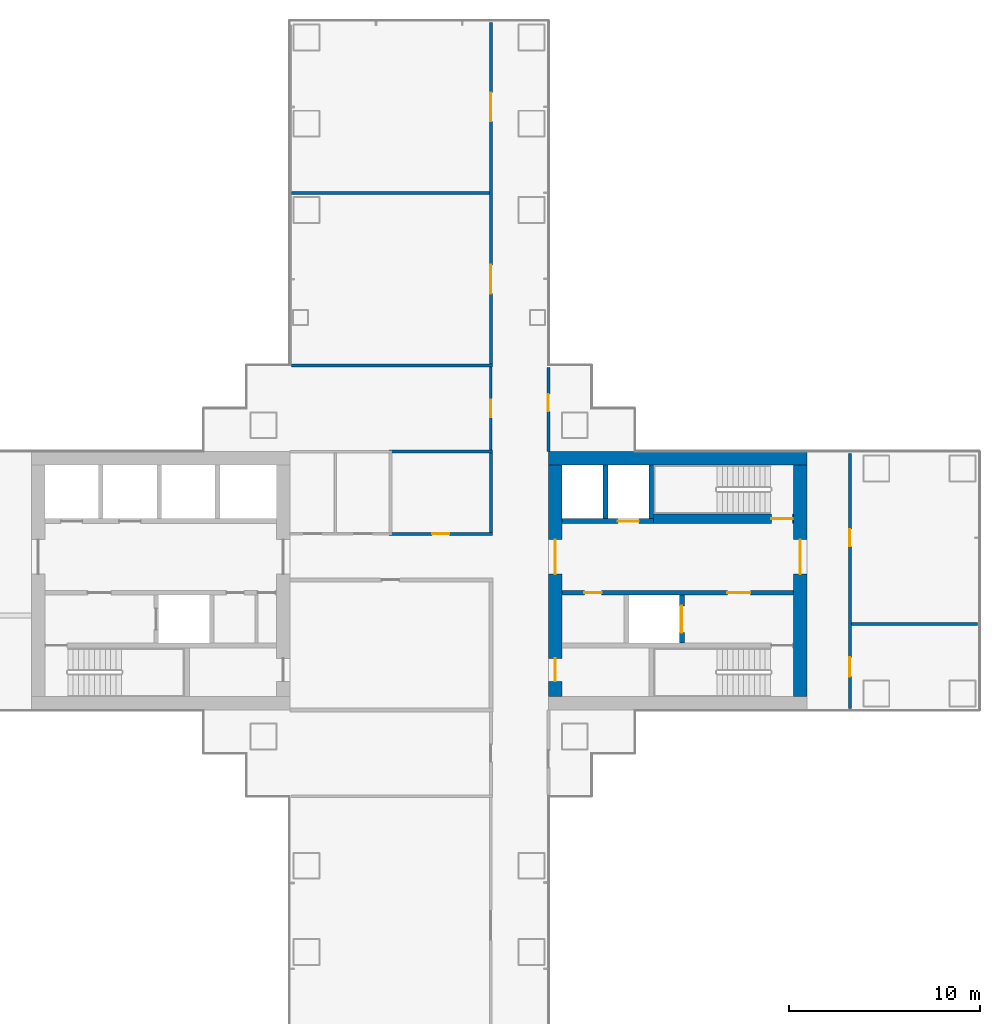
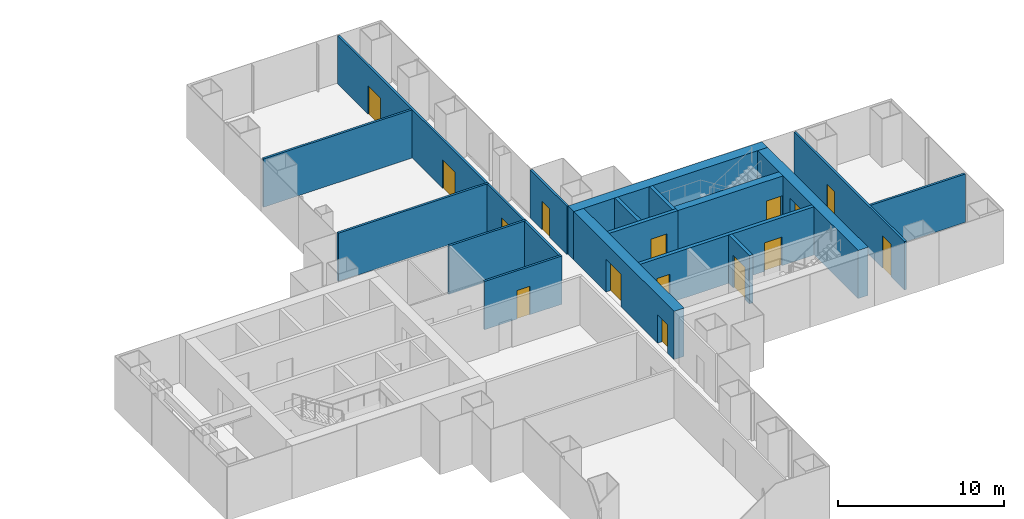
# One storey, part 17 of 21: 19 walls, 15 doors, 15 openings.
"""IFC4 building model written with IfcOpenShell, lengths in metres."""

from ifc_helpers import new_model, si_unit, direction, frame, frame_2d, origin, place, context, subcontext, project, spatial, rectangle, extrude, material, layer, layer_set, type_object, element, fill, save


model = new_model("IFC4")

# Units and contexts
model_context = context("Model", 3, precision=1e-05, world=origin(), true_north=direction((0.0, 1.0)))
body_context = subcontext(model_context, "Body", "Model", "MODEL_VIEW")
ifc_project = project(units=[si_unit("LENGTHUNIT", "METRE"), si_unit("AREAUNIT", "SQUARE_METRE"), si_unit("VOLUMEUNIT", "CUBIC_METRE"), si_unit("PLANEANGLEUNIT", "RADIAN"), si_unit("MASSUNIT", "GRAM", prefix="KILO")], contexts=[model_context])

# Site, building, storey
site_placement = place(None, origin())
site = spatial("IfcSite", under=ifc_project, at=site_placement, CompositionType="ELEMENT")
building_placement = place(site_placement, origin())
building = spatial("IfcBuilding", under=site, at=building_placement, Name="Shamsa Quay Exchange Towers", CompositionType="ELEMENT")
storey_placement = place(building_placement, frame((0.0, 0.0, 65.39990234375)))
storey = spatial("IfcBuildingStorey", under=building, at=storey_placement, Name="L14", CompositionType="ELEMENT", Elevation=65.39990234375)

# Wall
ifc_material_1 = material(Name="Concrete C80/95", Category="concrete")
ifc_layer_1 = layer(ifc_material_1, 0.699951171875)
ifc_layer_set_1 = layer_set([ifc_layer_1], Name="CORE WALL 700 C80/95")
wall_type_1 = type_object("IfcWallType", Name="CORE WALL 700 C80/95", PredefinedType="SHEAR", material=ifc_layer_set_1)
wall_1_placement = place(storey_placement, frame((54.0, 6.39990234375, 0.0), z_axis=(0.0, 0.0, 1.0), x_axis=(-1.0, 0.0, 0.0)))
element("IfcWall", 1, at=wall_1_placement, inside=storey, type_object=wall_type_1, Name="Core wall T2B-R06-PN", PredefinedType="SHEAR", context=body_context, shape_type="SweptSolid", body=[
    extrude(rectangle(XDim=13.5, YDim=0.699951171875, at=frame_2d((6.75, 0.0))), origin(), (0.0, 0.0, 1.0), 3.550048828125),
])

# Wall, opening, door
wall_2_placement = place(storey_placement, frame((53.64990234375, -6.050048828125, 0.0), z_axis=(0.0, 0.0, 1.0), x_axis=(0.0, 1.0, 0.0)))
wall_2 = element("IfcWall", 2, at=wall_2_placement, inside=storey, type_object=wall_type_1, Name="Core wall T2B-R06-PF", PredefinedType="SHEAR", context=body_context, shape_type="SweptSolid", body=[
    extrude(rectangle(XDim=12.10009765625, YDim=0.699951171875, at=frame_2d((6.050048828125, 0.0))), origin(), (0.0, 0.0, 1.0), 3.550048828125),
])
opening_1_placement = place(wall_2_placement, frame((6.39990234375, 0.0, 0.0)))
opening_1 = element("IfcOpeningElement", 3, at=opening_1_placement, cuts=wall_2, Name="Opening T2B-R06-LBD01", PredefinedType="OPENING", context=body_context, shape_type="SweptSolid", body=[
    extrude(rectangle(XDim=1.800048828125, YDim=2.39990234375, at=frame_2d((0.89990234375, 1.199951171875))), frame((0.0, 0.35986328125, 0.0), z_axis=(0.0, -1.0, 0.0), x_axis=(1.0, 0.0, 0.0)), (0.0, 0.0, 1.0), 0.719970703125),
])
ifc_material_2 = material(Name="Steel, fire rated", Category="steel")
door_type_1 = type_object("IfcDoorType", Name="LIFT LOBBY DOOR PAIR 1800", OperationType="DOUBLE_DOOR_SINGLE_SWING", PredefinedType="DOOR", material=ifc_material_2)
door_1_placement = place(opening_1_placement, origin())
door_1 = element("IfcDoor", 4, at=door_1_placement, inside=storey, type_object=door_type_1, Name="T2B-R06-LBD01", OperationType="DOUBLE_DOOR_SINGLE_SWING", OverallHeight=2.39990234375, OverallWidth=1.800048828125, PredefinedType="DOOR", context=body_context, shape_type="SweptSolid", body=[
    extrude(rectangle(XDim=1.800048828125, YDim=2.39990234375, at=frame_2d((0.89990234375, 1.199951171875))), frame((0.0, 0.02490234375, 0.0), z_axis=(0.0, -1.0, 0.0), x_axis=(1.0, 0.0, 0.0)), (0.0, 0.0, 1.0), 0.050048828125),
])
fill(opening_1, door_1)

# Wall, openings, doors
wall_3_placement = place(storey_placement, frame((40.85009765625, -6.050048828125, 0.0), z_axis=(0.0, 0.0, 1.0), x_axis=(0.0, 1.0, 0.0)))
wall_3 = element("IfcWall", 5, at=wall_3_placement, inside=storey, type_object=wall_type_1, Name="Core wall T2B-R06-PB", PredefinedType="SHEAR", context=body_context, shape_type="SweptSolid", body=[
    extrude(rectangle(XDim=12.10009765625, YDim=0.699951171875, at=frame_2d((6.050048828125, 0.0))), origin(), (0.0, 0.0, 1.0), 3.550048828125),
])
opening_2_placement = place(wall_3_placement, frame((0.800048828125, 0.0, 0.0)))
opening_2 = element("IfcOpeningElement", 6, at=opening_2_placement, cuts=wall_3, Name="Opening T2B-R06-RD02", PredefinedType="OPENING", context=body_context, shape_type="SweptSolid", body=[
    extrude(rectangle(XDim=1.199951171875, YDim=2.10009765625, at=frame_2d((0.60009765625, 1.050048828125))), frame((0.0, 0.35986328125, 0.0), z_axis=(0.0, -1.0, 0.0), x_axis=(1.0, 0.0, 0.0)), (0.0, 0.0, 1.0), 0.719970703125),
])
opening_3_placement = place(wall_3_placement, frame((6.39990234375, 0.0, 0.0)))
opening_3 = element("IfcOpeningElement", 7, at=opening_3_placement, cuts=wall_3, Name="Opening T2B-R06-LBD03", PredefinedType="OPENING", context=body_context, shape_type="SweptSolid", body=[
    extrude(rectangle(XDim=1.800048828125, YDim=2.39990234375, at=frame_2d((0.89990234375, 1.199951171875))), frame((0.0, 0.35986328125, 0.0), z_axis=(0.0, -1.0, 0.0), x_axis=(1.0, 0.0, 0.0)), (0.0, 0.0, 1.0), 0.719970703125),
])
door_2_placement = place(opening_3_placement, origin())
door_2 = element("IfcDoor", 8, at=door_2_placement, inside=storey, type_object=door_type_1, Name="T2B-R06-LBD03", OperationType="DOUBLE_DOOR_SINGLE_SWING", OverallHeight=2.39990234375, OverallWidth=1.800048828125, PredefinedType="DOOR", context=body_context, shape_type="SweptSolid", body=[
    extrude(rectangle(XDim=1.800048828125, YDim=2.39990234375, at=frame_2d((0.89990234375, 1.199951171875))), frame((0.0, 0.02490234375, 0.0), z_axis=(0.0, -1.0, 0.0), x_axis=(1.0, 0.0, 0.0)), (0.0, 0.0, 1.0), 0.050048828125),
])
fill(opening_3, door_2)
door_type_2 = type_object("IfcDoorType", Name="RISER ACCESS DOOR 1200", OperationType="SINGLE_SWING_LEFT", PredefinedType="DOOR", material=ifc_material_2)
door_3_placement = place(opening_2_placement, origin())
door_3 = element("IfcDoor", 9, at=door_3_placement, inside=storey, type_object=door_type_2, Name="T2B-R06-RD02", OperationType="SINGLE_SWING_LEFT", OverallHeight=2.10009765625, OverallWidth=1.199951171875, PredefinedType="DOOR", context=body_context, shape_type="SweptSolid", body=[
    extrude(rectangle(XDim=1.199951171875, YDim=2.10009765625, at=frame_2d((0.60009765625, 1.050048828125))), frame((0.0, 0.02490234375, 0.0), z_axis=(0.0, -1.0, 0.0), x_axis=(1.0, 0.0, 0.0)), (0.0, 0.0, 1.0), 0.050048828125),
])
fill(opening_2, door_3)

# Wall, opening, door
ifc_material_3 = material(Name="Laminated fire-resisting glass in a metal frame", Category="glass")
ifc_layer_2 = layer(ifc_material_3, 0.125)
ifc_layer_set_2 = layer_set([ifc_layer_2], Name="Glazed partition 125 mm EI 60")
wall_type_2 = type_object("IfcWallType", Name="Glazed partition 125 mm EI 60", PredefinedType="PARTITIONING", material=ifc_layer_set_2)
wall_4_placement = place(storey_placement, frame((37.5, 6.824951171875, 0.0), z_axis=(0.0, 0.0, 1.0), x_axis=(0.0, 1.0, 0.0)))
wall_4 = element("IfcWall", 10, at=wall_4_placement, inside=storey, type_object=wall_type_2, Name="Partition T2-R06-W01", PredefinedType="PARTITIONING", context=body_context, shape_type="SweptSolid", body=[
    extrude(rectangle(XDim=4.35009765625, YDim=0.125, at=frame_2d((2.175048828125, 0.0))), origin(), (0.0, 0.0, 1.0), 3.550048828125),
])
opening_4_placement = place(wall_4_placement, frame((1.72509765625, 0.0, 0.0)))
opening_4 = element("IfcOpeningElement", 11, at=opening_4_placement, cuts=wall_4, Name="Opening T2-R06-D08", PredefinedType="OPENING", context=body_context, shape_type="SweptSolid", body=[
    extrude(rectangle(XDim=0.89990234375, YDim=2.10009765625, at=frame_2d((0.449951171875, 1.050048828125))), frame((0.0, 0.072509765625, 0.0), z_axis=(0.0, -1.0, 0.0), x_axis=(1.0, 0.0, 0.0)), (0.0, 0.0, 1.0), 0.14501953125),
])
ifc_material_4 = material(Name="Timber door leaf in a metal frame", Category="wood")
door_type_3 = type_object("IfcDoorType", Name="Door 900x2100 FD30S", OperationType="NOTDEFINED", PredefinedType="DOOR", material=ifc_material_4)
door_4_placement = place(opening_4_placement, origin())
door_4 = element("IfcDoor", 12, at=door_4_placement, inside=storey, type_object=door_type_3, Name="Door T2-R06-D08", OperationType="SINGLE_SWING_LEFT", OverallHeight=2.10009765625, OverallWidth=0.89990234375, PredefinedType="DOOR", context=body_context, shape_type="SweptSolid", body=[
    extrude(rectangle(XDim=0.89990234375, YDim=2.10009765625, at=frame_2d((0.449951171875, 1.050048828125))), frame((0.0, 0.02490234375, 0.0), z_axis=(0.0, -1.0, 0.0), x_axis=(1.0, 0.0, 0.0)), (0.0, 0.0, 1.0), 0.050048828125),
])
fill(opening_4, door_4)

# Wall, openings, doors
ifc_material_5 = material(Name="Gypsum board partition on metal studs")
ifc_layer_3 = layer(ifc_material_5, 0.14990234375)
ifc_layer_set_3 = layer_set([ifc_layer_3], Name="Partition 150 mm EI 60")
wall_type_3 = type_object("IfcWallType", Name="Partition 150 mm EI 60", PredefinedType="PARTITIONING", material=ifc_layer_set_3)
wall_5_placement = place(storey_placement, frame((37.5, 11.324951171875, 0.0), z_axis=(0.0, 0.0, 1.0), x_axis=(0.0, 1.0, 0.0)))
wall_5 = element("IfcWall", 13, at=wall_5_placement, inside=storey, type_object=wall_type_3, Name="Partition T2-R06-W03", PredefinedType="PARTITIONING", context=body_context, shape_type="SweptSolid", body=[
    extrude(rectangle(XDim=17.830078125, YDim=0.14990234375, at=frame_2d((8.9150390625, 0.0))), origin(), (0.0, 0.0, 1.0), 3.550048828125),
])
opening_5_placement = place(wall_5_placement, frame((12.675048828125, 0.0, 0.0)))
opening_5 = element("IfcOpeningElement", 14, at=opening_5_placement, cuts=wall_5, Name="Opening T2-R06-D09", PredefinedType="OPENING", context=body_context, shape_type="SweptSolid", body=[
    extrude(rectangle(XDim=1.5, YDim=2.10009765625, at=frame_2d((0.75, 1.050048828125))), frame((0.0, 0.0849609375, 0.0), z_axis=(0.0, -1.0, 0.0), x_axis=(1.0, 0.0, 0.0)), (0.0, 0.0, 1.0), 0.169921875),
])
opening_6_placement = place(wall_5_placement, frame((3.675048828125, 0.0, 0.0)))
opening_6 = element("IfcOpeningElement", 15, at=opening_6_placement, cuts=wall_5, Name="Opening T2-R06-D10", PredefinedType="OPENING", context=body_context, shape_type="SweptSolid", body=[
    extrude(rectangle(XDim=1.5, YDim=2.10009765625, at=frame_2d((0.75, 1.050048828125))), frame((0.0, 0.0849609375, 0.0), z_axis=(0.0, -1.0, 0.0), x_axis=(1.0, 0.0, 0.0)), (0.0, 0.0, 1.0), 0.169921875),
])
door_type_4 = type_object("IfcDoorType", Name="Door 1500x2100 FD30S pair", OperationType="NOTDEFINED", PredefinedType="DOOR", material=ifc_material_4)
door_5_placement = place(opening_5_placement, origin())
door_5 = element("IfcDoor", 16, at=door_5_placement, inside=storey, type_object=door_type_4, Name="Door T2-R06-D09", OperationType="DOUBLE_DOOR_SINGLE_SWING", OverallHeight=2.10009765625, OverallWidth=1.5, PredefinedType="DOOR", context=body_context, shape_type="SweptSolid", body=[
    extrude(rectangle(XDim=1.5, YDim=2.10009765625, at=frame_2d((0.75, 1.050048828125))), frame((0.0, 0.02490234375, 0.0), z_axis=(0.0, -1.0, 0.0), x_axis=(1.0, 0.0, 0.0)), (0.0, 0.0, 1.0), 0.050048828125),
])
fill(opening_5, door_5)
door_6_placement = place(opening_6_placement, origin())
door_6 = element("IfcDoor", 17, at=door_6_placement, inside=storey, type_object=door_type_4, Name="Door T2-R06-D10", OperationType="DOUBLE_DOOR_SINGLE_SWING", OverallHeight=2.10009765625, OverallWidth=1.5, PredefinedType="DOOR", context=body_context, shape_type="SweptSolid", body=[
    extrude(rectangle(XDim=1.5, YDim=2.10009765625, at=frame_2d((0.75, 1.050048828125))), frame((0.0, 0.02490234375, 0.0), z_axis=(0.0, -1.0, 0.0), x_axis=(1.0, 0.0, 0.0)), (0.0, 0.0, 1.0), 0.050048828125),
])
fill(opening_6, door_6)

# Wall
wall_6_placement = place(storey_placement, frame((37.5, 2.525146484375, 0.0), z_axis=(0.0, 0.0, 1.0), x_axis=(0.0, 1.0, 0.0)))
element("IfcWall", 18, at=wall_6_placement, inside=storey, type_object=wall_type_3, Name="Partition T2-R06-W04", PredefinedType="PARTITIONING", context=body_context, shape_type="SweptSolid", body=[
    extrude(rectangle(XDim=4.14990234375, YDim=0.14990234375, at=frame_2d((2.074951171875, 0.0))), origin(), (0.0, 0.0, 1.0), 3.550048828125),
])

# Wall, opening, door
wall_7_placement = place(storey_placement, frame((32.175048828125, 2.4501953125, 0.0)))
wall_7 = element("IfcWall", 19, at=wall_7_placement, inside=storey, type_object=wall_type_3, Name="Partition T2-R06-W06", PredefinedType="PARTITIONING", context=body_context, shape_type="SweptSolid", body=[
    extrude(rectangle(XDim=5.39990234375, YDim=0.14990234375, at=frame_2d((2.699951171875, 0.0))), origin(), (0.0, 0.0, 1.0), 3.550048828125),
])
opening_7_placement = place(wall_7_placement, frame((2.25, 0.0, 0.0)))
opening_7 = element("IfcOpeningElement", 20, at=opening_7_placement, cuts=wall_7, Name="Opening T2-R06-D07", PredefinedType="OPENING", context=body_context, shape_type="SweptSolid", body=[
    extrude(rectangle(XDim=0.89990234375, YDim=2.10009765625, at=frame_2d((0.449951171875, 1.050048828125))), frame((0.0, 0.0849609375, 0.0), z_axis=(0.0, -1.0, 0.0), x_axis=(1.0, 0.0, 0.0)), (0.0, 0.0, 1.0), 0.169921875),
])
door_7_placement = place(opening_7_placement, origin())
door_7 = element("IfcDoor", 21, at=door_7_placement, inside=storey, type_object=door_type_3, Name="Door T2-R06-D07", OperationType="SINGLE_SWING_RIGHT", OverallHeight=2.10009765625, OverallWidth=0.89990234375, PredefinedType="DOOR", context=body_context, shape_type="SweptSolid", body=[
    extrude(rectangle(XDim=0.89990234375, YDim=2.10009765625, at=frame_2d((0.449951171875, 1.050048828125))), frame((0.0, 0.02490234375, 0.0), z_axis=(0.0, -1.0, 0.0), x_axis=(1.0, 0.0, 0.0)), (0.0, 0.0, 1.0), 0.050048828125),
])
fill(opening_7, door_7)

wall_8_placement = place(storey_placement, frame((40.5, 11.155029296875, 0.0), z_axis=(0.0, 0.0, 1.0), x_axis=(0.0, -1.0, 0.0)))
wall_8 = element("IfcWall", 22, at=wall_8_placement, inside=storey, type_object=wall_type_3, Name="Partition T2-R06-W11", PredefinedType="PARTITIONING", context=body_context, shape_type="SweptSolid", body=[
    extrude(rectangle(XDim=4.405029296875, YDim=0.14990234375, at=frame_2d((2.20263671875, 0.0))), origin(), (0.0, 0.0, 1.0), 3.550048828125),
])
opening_8_placement = place(wall_8_placement, frame((1.405029296875, 0.0, 0.0)))
opening_8 = element("IfcOpeningElement", 23, at=opening_8_placement, cuts=wall_8, Name="Opening T2-R06-D04", PredefinedType="OPENING", context=body_context, shape_type="SweptSolid", body=[
    extrude(rectangle(XDim=0.89990234375, YDim=2.10009765625, at=frame_2d((0.449951171875, 1.050048828125))), frame((0.0, 0.0849609375, 0.0), z_axis=(0.0, -1.0, 0.0), x_axis=(1.0, 0.0, 0.0)), (0.0, 0.0, 1.0), 0.169921875),
])
door_8_placement = place(opening_8_placement, origin())
door_8 = element("IfcDoor", 24, at=door_8_placement, inside=storey, type_object=door_type_3, Name="Door T2-R06-D04", OperationType="SINGLE_SWING_LEFT", OverallHeight=2.10009765625, OverallWidth=0.89990234375, PredefinedType="DOOR", context=body_context, shape_type="SweptSolid", body=[
    extrude(rectangle(XDim=0.89990234375, YDim=2.10009765625, at=frame_2d((0.449951171875, 1.050048828125))), frame((0.0, 0.02490234375, 0.0), z_axis=(0.0, -1.0, 0.0), x_axis=(1.0, 0.0, 0.0)), (0.0, 0.0, 1.0), 0.050048828125),
])
fill(opening_8, door_8)

# Wall, openings, doors
wall_9_placement = place(storey_placement, frame((56.25, 6.655029296875, 0.0), z_axis=(0.0, 0.0, 1.0), x_axis=(0.0, -1.0, 0.0)))
wall_9 = element("IfcWall", 25, at=wall_9_placement, inside=storey, type_object=wall_type_3, Name="Partition T2-R06-W12", PredefinedType="PARTITIONING", context=body_context, shape_type="SweptSolid", body=[
    extrude(rectangle(XDim=13.31005859375, YDim=0.14990234375, at=frame_2d((6.655029296875, 0.0))), origin(), (0.0, 0.0, 1.0), 3.550048828125),
])
opening_9_placement = place(wall_9_placement, frame((10.655029296875, 0.0, 0.0)))
opening_9 = element("IfcOpeningElement", 26, at=opening_9_placement, cuts=wall_9, Name="Opening T2-R06-D01", PredefinedType="OPENING", context=body_context, shape_type="SweptSolid", body=[
    extrude(rectangle(XDim=1.0, YDim=2.39990234375, at=frame_2d((0.5, 1.199951171875))), frame((0.0, 0.0849609375, 0.0), z_axis=(0.0, -1.0, 0.0), x_axis=(1.0, 0.0, 0.0)), (0.0, 0.0, 1.0), 0.169921875),
])
opening_10_placement = place(wall_9_placement, frame((3.955078125, 0.0, 0.0)))
opening_10 = element("IfcOpeningElement", 27, at=opening_10_placement, cuts=wall_9, Name="Opening T2-R06-D02", PredefinedType="OPENING", context=body_context, shape_type="SweptSolid", body=[
    extrude(rectangle(XDim=0.89990234375, YDim=2.10009765625, at=frame_2d((0.449951171875, 1.050048828125))), frame((0.0, 0.0849609375, 0.0), z_axis=(0.0, -1.0, 0.0), x_axis=(1.0, 0.0, 0.0)), (0.0, 0.0, 1.0), 0.169921875),
])
door_type_5 = type_object("IfcDoorType", Name="Door 1000x2400 FD30S", OperationType="NOTDEFINED", PredefinedType="DOOR", material=ifc_material_4)
door_9_placement = place(opening_9_placement, origin())
door_9 = element("IfcDoor", 28, at=door_9_placement, inside=storey, type_object=door_type_5, Name="Door T2-R06-D01", OperationType="SINGLE_SWING_LEFT", OverallHeight=2.39990234375, OverallWidth=1.0, PredefinedType="DOOR", context=body_context, shape_type="SweptSolid", body=[
    extrude(rectangle(XDim=1.0, YDim=2.39990234375, at=frame_2d((0.5, 1.199951171875))), frame((0.0, 0.02490234375, 0.0), z_axis=(0.0, -1.0, 0.0), x_axis=(1.0, 0.0, 0.0)), (0.0, 0.0, 1.0), 0.050048828125),
])
fill(opening_9, door_9)
door_10_placement = place(opening_10_placement, origin())
door_10 = element("IfcDoor", 29, at=door_10_placement, inside=storey, type_object=door_type_3, Name="Door T2-R06-D02", OperationType="SINGLE_SWING_RIGHT", OverallHeight=2.10009765625, OverallWidth=0.89990234375, PredefinedType="DOOR", context=body_context, shape_type="SweptSolid", body=[
    extrude(rectangle(XDim=0.89990234375, YDim=2.10009765625, at=frame_2d((0.449951171875, 1.050048828125))), frame((0.0, 0.02490234375, 0.0), z_axis=(0.0, -1.0, 0.0), x_axis=(1.0, 0.0, 0.0)), (0.0, 0.0, 1.0), 0.050048828125),
])
fill(opening_10, door_10)

# Walls
wall_10_placement = place(storey_placement, frame((37.574951171875, 11.25, 0.0), z_axis=(0.0, 0.0, 1.0), x_axis=(-1.0, 0.0, 0.0)))
element("IfcWall", 30, at=wall_10_placement, inside=storey, type_object=wall_type_3, Name="Partition T2-R06-W13", PredefinedType="PARTITIONING", context=body_context, shape_type="SweptSolid", body=[
    extrude(rectangle(XDim=10.47998046875, YDim=0.14990234375, at=frame_2d((5.239990234375, 0.0))), origin(), (0.0, 0.0, 1.0), 3.550048828125),
])
wall_11_placement = place(storey_placement, frame((32.175048828125, 6.75, 0.0)))
element("IfcWall", 31, at=wall_11_placement, inside=storey, type_object=wall_type_3, Name="Partition T2-R06-W14", PredefinedType="PARTITIONING", context=body_context, shape_type="SweptSolid", body=[
    extrude(rectangle(XDim=5.39990234375, YDim=0.14990234375, at=frame_2d((2.699951171875, 0.0))), origin(), (0.0, 0.0, 1.0), 3.550048828125),
])
wall_12_placement = place(storey_placement, frame((37.425048828125, 20.25, 0.0), z_axis=(0.0, 0.0, 1.0), x_axis=(-1.0, 0.0, 0.0)))
element("IfcWall", 32, at=wall_12_placement, inside=storey, type_object=wall_type_3, Name="Partition T2-R06-W16", PredefinedType="PARTITIONING", context=body_context, shape_type="SweptSolid", body=[
    extrude(rectangle(XDim=10.330078125, YDim=0.14990234375, at=frame_2d((5.1650390625, 0.0))), origin(), (0.0, 0.0, 1.0), 3.550048828125),
])
wall_13_placement = place(storey_placement, frame((62.905029296875, -2.25, 0.0), z_axis=(0.0, 0.0, 1.0), x_axis=(-1.0, 0.0, 0.0)))
element("IfcWall", 33, at=wall_13_placement, inside=storey, type_object=wall_type_3, Name="Partition T2-R06-W21", PredefinedType="PARTITIONING", context=body_context, shape_type="SweptSolid", body=[
    extrude(rectangle(XDim=6.580078125, YDim=0.14990234375, at=frame_2d((3.2900390625, 0.0))), origin(), (0.0, 0.0, 1.0), 3.550048828125),
])

# Wall, openings, doors
ifc_material_6 = material(Name="Concrete C50/60", Category="concrete")
ifc_layer_4 = layer(ifc_material_6, 0.25)
ifc_layer_set_4 = layer_set([ifc_layer_4], Name="SHAFT WALL 250 C50/60")
wall_type_4 = type_object("IfcWallType", Name="SHAFT WALL 250 C50/60", PredefinedType="SHEAR", material=ifc_layer_set_4)
wall_14_placement = place(storey_placement, frame((53.300048828125, -0.625, 0.0), z_axis=(0.0, 0.0, 1.0), x_axis=(-1.0, 0.0, 0.0)))
wall_14 = element("IfcWall", 34, at=wall_14_placement, inside=storey, type_object=wall_type_4, Name="Shaft wall T2B-R06-B", PredefinedType="SHEAR", context=body_context, shape_type="SweptSolid", body=[
    extrude(rectangle(XDim=12.10009765625, YDim=0.25, at=frame_2d((6.050048828125, 0.0))), origin(), (0.0, 0.0, 1.0), 3.550048828125),
])
opening_11_placement = place(wall_14_placement, frame((2.25, 0.0, 0.0)))
opening_11 = element("IfcOpeningElement", 35, at=opening_11_placement, cuts=wall_14, Name="Opening T2B-R06-FD05", PredefinedType="OPENING", context=body_context, shape_type="SweptSolid", body=[
    extrude(rectangle(XDim=1.199951171875, YDim=2.10009765625, at=frame_2d((0.60009765625, 1.050048828125))), frame((0.0, 0.135009765625, 0.0), z_axis=(0.0, -1.0, 0.0), x_axis=(1.0, 0.0, 0.0)), (0.0, 0.0, 1.0), 0.27001953125),
])
opening_12_placement = place(wall_14_placement, frame((10.02490234375, 0.0, 0.0)))
opening_12 = element("IfcOpeningElement", 36, at=opening_12_placement, cuts=wall_14, Name="Opening T2B-R06-SV06", PredefinedType="OPENING", context=body_context, shape_type="SweptSolid", body=[
    extrude(rectangle(XDim=0.89990234375, YDim=2.10009765625, at=frame_2d((0.449951171875, 1.050048828125))), frame((0.0, 0.135009765625, 0.0), z_axis=(0.0, -1.0, 0.0), x_axis=(1.0, 0.0, 0.0)), (0.0, 0.0, 1.0), 0.27001953125),
])
door_type_6 = type_object("IfcDoorType", Name="FIRE SERVICE LOBBY DOOR 1200", OperationType="SINGLE_SWING_LEFT", PredefinedType="DOOR", material=ifc_material_2)
door_11_placement = place(opening_11_placement, origin())
door_11 = element("IfcDoor", 37, at=door_11_placement, inside=storey, type_object=door_type_6, Name="T2B-R06-FD05", OperationType="SINGLE_SWING_LEFT", OverallHeight=2.10009765625, OverallWidth=1.199951171875, PredefinedType="DOOR", context=body_context, shape_type="SweptSolid", body=[
    extrude(rectangle(XDim=1.199951171875, YDim=2.10009765625, at=frame_2d((0.60009765625, 1.050048828125))), frame((0.0, 0.02490234375, 0.0), z_axis=(0.0, -1.0, 0.0), x_axis=(1.0, 0.0, 0.0)), (0.0, 0.0, 1.0), 0.050048828125),
])
fill(opening_11, door_11)
door_type_7 = type_object("IfcDoorType", Name="SERVICE ROOM DOOR 900", OperationType="SINGLE_SWING_LEFT", PredefinedType="DOOR", material=ifc_material_2)
door_12_placement = place(opening_12_placement, origin())
door_12 = element("IfcDoor", 38, at=door_12_placement, inside=storey, type_object=door_type_7, Name="T2B-R06-SV06", OperationType="SINGLE_SWING_RIGHT", OverallHeight=2.10009765625, OverallWidth=0.89990234375, PredefinedType="DOOR", context=body_context, shape_type="SweptSolid", body=[
    extrude(rectangle(XDim=0.89990234375, YDim=2.10009765625, at=frame_2d((0.449951171875, 1.050048828125))), frame((0.0, 0.02490234375, 0.0), z_axis=(0.0, -1.0, 0.0), x_axis=(1.0, 0.0, 0.0)), (0.0, 0.0, 1.0), 0.050048828125),
])
fill(opening_12, door_12)

# Wall, opening, door
wall_15_placement = place(storey_placement, frame((47.47509765625, -3.25, 0.0), z_axis=(0.0, 0.0, 1.0), x_axis=(0.0, 1.0, 0.0)))
wall_15 = element("IfcWall", 39, at=wall_15_placement, inside=storey, type_object=wall_type_4, Name="Shaft wall T2B-R06-FFF", PredefinedType="SHEAR", context=body_context, shape_type="SweptSolid", body=[
    extrude(rectangle(XDim=2.5, YDim=0.25, at=frame_2d((1.25, 0.0))), origin(), (0.0, 0.0, 1.0), 3.550048828125),
])
opening_13_placement = place(wall_15_placement, frame((0.550048828125, 0.0, 0.0)))
opening_13 = element("IfcOpeningElement", 40, at=opening_13_placement, cuts=wall_15, Name="Opening T2B-R06-LDG07", PredefinedType="OPENING", context=body_context, shape_type="SweptSolid", body=[
    extrude(rectangle(XDim=1.39990234375, YDim=2.39990234375, at=frame_2d((0.699951171875, 1.199951171875))), frame((0.0, 0.135009765625, 0.0), z_axis=(0.0, -1.0, 0.0), x_axis=(1.0, 0.0, 0.0)), (0.0, 0.0, 1.0), 0.27001953125),
])
door_type_8 = type_object("IfcDoorType", Name="GOODS LIFT LANDING DOOR 1400", OperationType="SLIDING_TO_LEFT", PredefinedType="DOOR", material=ifc_material_2)
door_13_placement = place(opening_13_placement, origin())
door_13 = element("IfcDoor", 41, at=door_13_placement, inside=storey, type_object=door_type_8, Name="T2B-R06-LDG07", OperationType="SLIDING_TO_LEFT", OverallHeight=2.39990234375, OverallWidth=1.39990234375, PredefinedType="DOOR", context=body_context, shape_type="SweptSolid", body=[
    extrude(rectangle(XDim=1.39990234375, YDim=2.39990234375, at=frame_2d((0.699951171875, 1.199951171875))), frame((0.0, 0.02490234375, 0.0), z_axis=(0.0, -1.0, 0.0), x_axis=(1.0, 0.0, 0.0)), (0.0, 0.0, 1.0), 0.050048828125),
])
fill(opening_13, door_13)

wall_16_placement = place(storey_placement, frame((46.0, 3.125, 0.0), z_axis=(0.0, 0.0, 1.0), x_axis=(-1.0, 0.0, 0.0)))
wall_16 = element("IfcWall", 42, at=wall_16_placement, inside=storey, type_object=wall_type_4, Name="Shaft wall T2B-R06-N2", PredefinedType="SHEAR", context=body_context, shape_type="SweptSolid", body=[
    extrude(rectangle(XDim=4.800048828125, YDim=0.25, at=frame_2d((2.39990234375, 0.0))), origin(), (0.0, 0.0, 1.0), 3.550048828125),
])
opening_14_placement = place(wall_16_placement, frame((0.77490234375, 0.0, 0.0)))
opening_14 = element("IfcOpeningElement", 43, at=opening_14_placement, cuts=wall_16, Name="Opening T2B-R06-LD09", PredefinedType="OPENING", context=body_context, shape_type="SweptSolid", body=[
    extrude(rectangle(XDim=1.10009765625, YDim=2.10009765625, at=frame_2d((0.550048828125, 1.050048828125))), frame((0.0, 0.135009765625, 0.0), z_axis=(0.0, -1.0, 0.0), x_axis=(1.0, 0.0, 0.0)), (0.0, 0.0, 1.0), 0.27001953125),
])
door_type_9 = type_object("IfcDoorType", Name="LANDING DOOR 1100", OperationType="SLIDING_TO_LEFT", PredefinedType="DOOR", material=ifc_material_2)
door_14_placement = place(opening_14_placement, origin())
door_14 = element("IfcDoor", 44, at=door_14_placement, inside=storey, type_object=door_type_9, Name="T2B-R06-LD09", OperationType="SLIDING_TO_LEFT", OverallHeight=2.10009765625, OverallWidth=1.10009765625, PredefinedType="DOOR", context=body_context, shape_type="SweptSolid", body=[
    extrude(rectangle(XDim=1.10009765625, YDim=2.10009765625, at=frame_2d((0.550048828125, 1.050048828125))), frame((0.0, 0.02490234375, 0.0), z_axis=(0.0, -1.0, 0.0), x_axis=(1.0, 0.0, 0.0)), (0.0, 0.0, 1.0), 0.050048828125),
])
fill(opening_14, door_14)

# Walls
for number, where, z_axis, x_axis, name in (
    (45, (45.875, 3.25, 0.0), (0.0, 0.0, 1.0), (0.0, 1.0, 0.0), "Shaft wall T2B-R06-STF2"),
    (46, (43.47509765625, 3.25, 0.0), (0.0, 0.0, 1.0), (0.0, 1.0, 0.0), "Shaft wall T2B-R06-D0"),
):
    element("IfcWall", number, at=place(storey_placement, frame(where, z_axis=z_axis, x_axis=x_axis)), inside=storey, type_object=wall_type_4, Name=name, PredefinedType="SHEAR", context=body_context, shape_type="SweptSolid", body=[
        extrude(rectangle(XDim=2.800048828125, YDim=0.25, at=frame_2d((1.39990234375, 0.0))), origin(), (0.0, 0.0, 1.0), 3.550048828125),
    ])

# Wall, opening, door
ifc_layer_5 = layer(ifc_material_6, 0.5)
ifc_layer_set_5 = layer_set([ifc_layer_5], Name="SHAFT WALL 500 C50/60")
wall_type_5 = type_object("IfcWallType", Name="SHAFT WALL 500 C50/60", PredefinedType="SHEAR", material=ifc_layer_set_5)
wall_17_placement = place(storey_placement, frame((46.0, 3.25, 0.0)))
wall_17 = element("IfcWall", 47, at=wall_17_placement, inside=storey, type_object=wall_type_5, Name="Shaft wall T2B-R06-N", PredefinedType="SHEAR", context=body_context, shape_type="SweptSolid", body=[
    extrude(rectangle(XDim=7.300048828125, YDim=0.5, at=frame_2d((3.64990234375, 0.0))), origin(), (0.0, 0.0, 1.0), 3.550048828125),
])
opening_15_placement = place(wall_17_placement, frame((6.14990234375, 0.0, 0.0)))
opening_15 = element("IfcOpeningElement", 48, at=opening_15_placement, cuts=wall_17, Name="Opening T2B-R06-SD08", PredefinedType="OPENING", context=body_context, shape_type="SweptSolid", body=[
    extrude(rectangle(XDim=1.10009765625, YDim=2.10009765625, at=frame_2d((0.550048828125, 1.050048828125))), frame((0.0, 0.260009765625, 0.0), z_axis=(0.0, -1.0, 0.0), x_axis=(1.0, 0.0, 0.0)), (0.0, 0.0, 1.0), 0.52001953125),
])
door_type_10 = type_object("IfcDoorType", Name="STAIR DOOR 1100", OperationType="SINGLE_SWING_LEFT", PredefinedType="DOOR", material=ifc_material_2)
door_15_placement = place(opening_15_placement, origin())
door_15 = element("IfcDoor", 49, at=door_15_placement, inside=storey, type_object=door_type_10, Name="T2B-R06-SD08", OperationType="SINGLE_SWING_RIGHT", OverallHeight=2.10009765625, OverallWidth=1.10009765625, PredefinedType="DOOR", context=body_context, shape_type="SweptSolid", body=[
    extrude(rectangle(XDim=1.10009765625, YDim=2.10009765625, at=frame_2d((0.550048828125, 1.050048828125))), frame((0.0, 0.02490234375, 0.0), z_axis=(0.0, -1.0, 0.0), x_axis=(1.0, 0.0, 0.0)), (0.0, 0.0, 1.0), 0.050048828125),
])
fill(opening_15, door_15)

save(model, "model.ifc")
